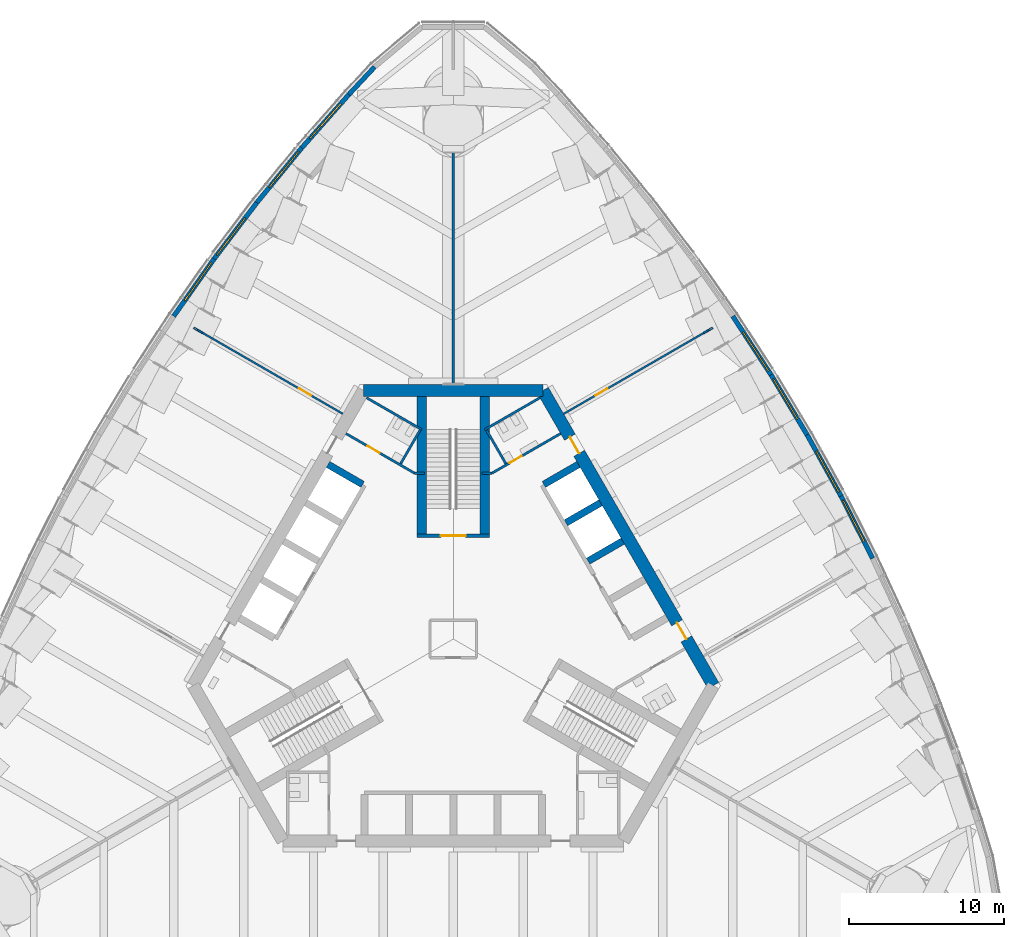
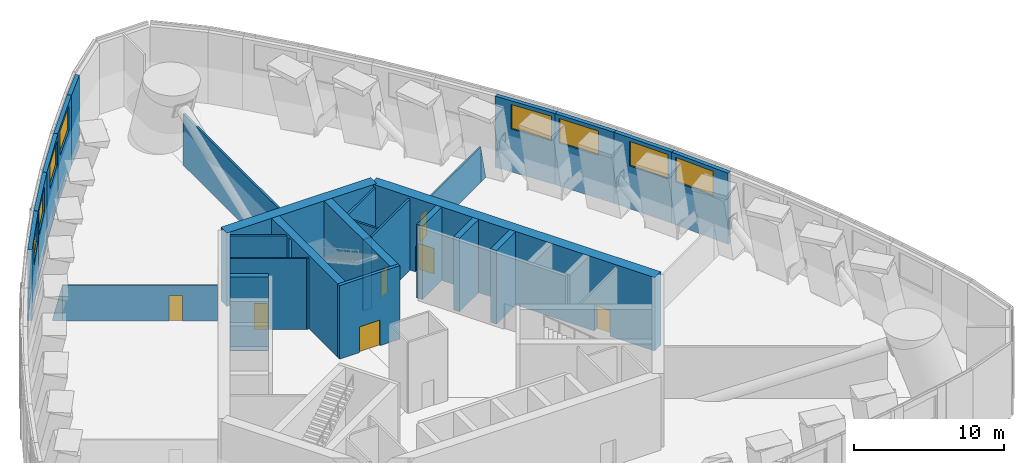
# One storey, part 9 of 25: 31 walls, 8 windows, 7 doors, 15 openings.
"""IFC4 building model written with IfcOpenShell, lengths in metres."""

from ifc_helpers import new_model, si_unit, direction, frame, frame_2d, origin, place, context, subcontext, project, spatial, polyline, rectangle, outline, extrude, material, layer, layer_set, type_object, element, fill, save


model = new_model("IFC4")

# Units and contexts
model_context = context("Model", 3, precision=1e-05, world=origin(), true_north=direction((0.0, 1.0)))
body_context = subcontext(model_context, "Body", "Model", "MODEL_VIEW")
ifc_project = project(units=[si_unit("LENGTHUNIT", "METRE"), si_unit("AREAUNIT", "SQUARE_METRE"), si_unit("VOLUMEUNIT", "CUBIC_METRE"), si_unit("PLANEANGLEUNIT", "RADIAN"), si_unit("MASSUNIT", "GRAM", prefix="KILO")], contexts=[model_context])

# Site, building, storey
site_placement = place(None, origin())
site = spatial("IfcSite", under=ifc_project, at=site_placement, CompositionType="ELEMENT")
building_placement = place(site_placement, origin())
building = spatial("IfcBuilding", under=site, at=building_placement, Name="Trefoil Bronze Tower", CompositionType="ELEMENT")
storey_placement = place(building_placement, frame((0.0, 0.0, 178.699951171875)))
storey = spatial("IfcBuildingStorey", under=building, at=storey_placement, Name="L41", CompositionType="ELEMENT", Elevation=178.699951171875)

# Wall, opening, window
ifc_material_1 = material(Name="Concrete B80", Category="concrete")
ifc_layer_1 = layer(ifc_material_1, 0.300048828125)
ifc_layer_set_1 = layer_set([ifc_layer_1], Name="Belt wall 300")
wall_type_1 = type_object("IfcWallType", Name="Belt wall 300", PredefinedType="SOLIDWALL", material=ifc_layer_set_1)
wall_1_placement = place(storey_placement, frame((26.994873046875, 5.193115234375, 0.0), z_axis=(0.0, 0.0, 1.0), x_axis=(-0.452406735601, 0.891811720927, 0.0)))
wall_1 = element("IfcWall", 1, at=wall_1_placement, inside=storey, type_object=wall_type_1, Name="Belt wall T2.23", PredefinedType="SOLIDWALL", context=body_context, shape_type="SweptSolid", body=[
    extrude(rectangle(XDim=4.506591796875, YDim=0.300048828125, at=frame_2d((2.25341796875, 0.0))), origin(), (0.0, 0.0, 1.0), 5.800048828125),
])
opening_1_placement = place(wall_1_placement, frame((1.20654296875, 0.0, 3.5)))
opening_1 = element("IfcOpeningElement", 2, at=opening_1_placement, cuts=wall_1, Name="Opening LV1", PredefinedType="OPENING", context=body_context, shape_type="SweptSolid", body=[
    extrude(rectangle(XDim=3.0, YDim=2.0, at=frame_2d((1.5, 1.0))), frame((0.0, 0.159912109375, 0.0), z_axis=(0.0, -1.0, 0.0), x_axis=(1.0, 0.0, 0.0)), (0.0, 0.0, 1.0), 0.320068359375),
])
ifc_material_2 = material(Name="Bronze-finish aluminium louvre", Category="aluminium")
window_type = type_object("IfcWindowType", Name="Plant louvre 3000", PartitioningType="SINGLE_PANEL", PredefinedType="USERDEFINED", material=ifc_material_2)
window_1_placement = place(opening_1_placement, origin())
window_1 = element("IfcWindow", 3, at=window_1_placement, inside=storey, type_object=window_type, Name="Plant louvre L41 F2.6.1", ObjectType="LOUVRE", OverallHeight=2.0, OverallWidth=3.0, PartitioningType="SINGLE_PANEL", PredefinedType="USERDEFINED", context=body_context, shape_type="SweptSolid", body=[
    extrude(rectangle(XDim=3.0, YDim=2.0, at=frame_2d((1.5, 1.0))), frame((0.0, 0.030029296875, 0.0), z_axis=(0.0, -1.0, 0.0), x_axis=(1.0, 0.0, 0.0)), (0.0, 0.0, 1.0), 0.06005859375),
])
fill(opening_1, window_1)

wall_2_placement = place(storey_placement, frame((24.9560546875, 9.212158203125, 0.0), z_axis=(0.0, 0.0, 1.0), x_axis=(-0.48433441842, 0.874882947104, 0.0)))
wall_2 = element("IfcWall", 4, at=wall_2_placement, inside=storey, type_object=wall_type_1, Name="Belt wall T2.24", PredefinedType="SOLIDWALL", context=body_context, shape_type="SweptSolid", body=[
    extrude(rectangle(XDim=4.5009765625, YDim=0.300048828125, at=frame_2d((2.25048828125, 0.0))), origin(), (0.0, 0.0, 1.0), 5.800048828125),
])
opening_2_placement = place(wall_2_placement, frame((0.300048828125, 0.0, 3.5)))
opening_2 = element("IfcOpeningElement", 5, at=opening_2_placement, cuts=wall_2, Name="Opening LV1", PredefinedType="OPENING", context=body_context, shape_type="SweptSolid", body=[
    extrude(rectangle(XDim=3.0, YDim=2.0, at=frame_2d((1.5, 1.0))), frame((0.0, 0.159912109375, 0.0), z_axis=(0.0, -1.0, 0.0), x_axis=(1.0, 0.0, 0.0)), (0.0, 0.0, 1.0), 0.320068359375),
])
window_2_placement = place(opening_2_placement, origin())
window_2 = element("IfcWindow", 6, at=window_2_placement, inside=storey, type_object=window_type, Name="Plant louvre L41 F2.7.1", ObjectType="LOUVRE", OverallHeight=2.0, OverallWidth=3.0, PartitioningType="SINGLE_PANEL", PredefinedType="USERDEFINED", context=body_context, shape_type="SweptSolid", body=[
    extrude(rectangle(XDim=3.0, YDim=2.0, at=frame_2d((1.5, 1.0))), frame((0.0, 0.030029296875, 0.0), z_axis=(0.0, -1.0, 0.0), x_axis=(1.0, 0.0, 0.0)), (0.0, 0.0, 1.0), 0.06005859375),
])
fill(opening_2, window_2)

wall_3_placement = place(storey_placement, frame((22.776123046875, 13.14990234375, 0.0), z_axis=(0.0, 0.0, 1.0), x_axis=(-0.515508537432, 0.856884442521, 0.0)))
wall_3 = element("IfcWall", 7, at=wall_3_placement, inside=storey, type_object=wall_type_1, Name="Belt wall T2.25", PredefinedType="SOLIDWALL", context=body_context, shape_type="SweptSolid", body=[
    extrude(rectangle(XDim=4.50048828125, YDim=0.300048828125, at=frame_2d((2.250244140625, 0.0))), origin(), (0.0, 0.0, 1.0), 5.800048828125),
])
opening_3_placement = place(wall_3_placement, frame((1.20068359375, 0.0, 3.5)))
opening_3 = element("IfcOpeningElement", 8, at=opening_3_placement, cuts=wall_3, Name="Opening LV1", PredefinedType="OPENING", context=body_context, shape_type="SweptSolid", body=[
    extrude(rectangle(XDim=3.0, YDim=2.0, at=frame_2d((1.5, 1.0))), frame((0.0, 0.159912109375, 0.0), z_axis=(0.0, -1.0, 0.0), x_axis=(1.0, 0.0, 0.0)), (0.0, 0.0, 1.0), 0.320068359375),
])
window_3_placement = place(opening_3_placement, origin())
window_3 = element("IfcWindow", 9, at=window_3_placement, inside=storey, type_object=window_type, Name="Plant louvre L41 F2.8.1", ObjectType="LOUVRE", OverallHeight=2.0, OverallWidth=3.0, PartitioningType="SINGLE_PANEL", PredefinedType="USERDEFINED", context=body_context, shape_type="SweptSolid", body=[
    extrude(rectangle(XDim=3.0, YDim=2.0, at=frame_2d((1.5, 1.0))), frame((0.0, 0.030029296875, 0.0), z_axis=(0.0, -1.0, 0.0), x_axis=(1.0, 0.0, 0.0)), (0.0, 0.0, 1.0), 0.06005859375),
])
fill(opening_3, window_3)

wall_4_placement = place(storey_placement, frame((20.4560546875, 17.00634765625, 0.0), z_axis=(0.0, 0.0, 1.0), x_axis=(-0.546107481908, 0.83771511757, 0.0)))
wall_4 = element("IfcWall", 10, at=wall_4_placement, inside=storey, type_object=wall_type_1, Name="Belt wall T2.26", PredefinedType="SOLIDWALL", context=body_context, shape_type="SweptSolid", body=[
    extrude(rectangle(XDim=4.5068359375, YDim=0.300048828125, at=frame_2d((2.25341796875, 0.0))), origin(), (0.0, 0.0, 1.0), 5.800048828125),
])
opening_4_placement = place(wall_4_placement, frame((0.300048828125, 0.0, 3.5)))
opening_4 = element("IfcOpeningElement", 11, at=opening_4_placement, cuts=wall_4, Name="Opening LV1", PredefinedType="OPENING", context=body_context, shape_type="SweptSolid", body=[
    extrude(rectangle(XDim=3.0, YDim=2.0, at=frame_2d((1.5, 1.0))), frame((0.0, 0.159912109375, 0.0), z_axis=(0.0, -1.0, 0.0), x_axis=(1.0, 0.0, 0.0)), (0.0, 0.0, 1.0), 0.320068359375),
])
window_4_placement = place(opening_4_placement, origin())
window_4 = element("IfcWindow", 12, at=window_4_placement, inside=storey, type_object=window_type, Name="Plant louvre L41 F2.9.1", ObjectType="LOUVRE", OverallHeight=2.0, OverallWidth=3.0, PartitioningType="SINGLE_PANEL", PredefinedType="USERDEFINED", context=body_context, shape_type="SweptSolid", body=[
    extrude(rectangle(XDim=3.0, YDim=2.0, at=frame_2d((1.5, 1.0))), frame((0.0, 0.030029296875, 0.0), z_axis=(0.0, -1.0, 0.0), x_axis=(1.0, 0.0, 0.0)), (0.0, 0.0, 1.0), 0.06005859375),
])
fill(opening_4, window_4)

# Wall
wall_5_placement = place(storey_placement, frame((-5.066162109375, 36.824462890625, 0.0), z_axis=(0.0, 0.0, 1.0), x_axis=(-0.682533872246, -0.730853961635, 0.0)))
element("IfcWall", 13, at=wall_5_placement, inside=storey, type_object=wall_type_1, Name="Belt wall T2.35", PredefinedType="SOLIDWALL", context=body_context, shape_type="SweptSolid", body=[
    extrude(rectangle(XDim=2.420166015625, YDim=0.300048828125, at=frame_2d((1.2099609375, 0.0))), origin(), (0.0, 0.0, 1.0), 5.800048828125),
])

# Wall, opening, window
wall_6_placement = place(storey_placement, frame((-6.718017578125, 35.0556640625, 0.0), z_axis=(0.0, 0.0, 1.0), x_axis=(-0.66176232182, -0.7497136983, 0.0)))
wall_6 = element("IfcWall", 14, at=wall_6_placement, inside=storey, type_object=wall_type_1, Name="Belt wall T2.36", PredefinedType="SOLIDWALL", context=body_context, shape_type="SweptSolid", body=[
    extrude(rectangle(XDim=4.59130859375, YDim=0.300048828125, at=frame_2d((2.295654296875, 0.0))), origin(), (0.0, 0.0, 1.0), 5.800048828125),
])
opening_5_placement = place(wall_6_placement, frame((0.795654296875, 0.0, 3.5)))
opening_5 = element("IfcOpeningElement", 15, at=opening_5_placement, cuts=wall_6, Name="Opening LV1", PredefinedType="OPENING", context=body_context, shape_type="SweptSolid", body=[
    extrude(rectangle(XDim=3.0, YDim=2.0, at=frame_2d((1.5, 1.0))), frame((0.0, 0.159912109375, 0.0), z_axis=(0.0, -1.0, 0.0), x_axis=(1.0, 0.0, 0.0)), (0.0, 0.0, 1.0), 0.320068359375),
])
window_5_placement = place(opening_5_placement, origin())
window_5 = element("IfcWindow", 16, at=window_5_placement, inside=storey, type_object=window_type, Name="Plant louvre L41 F3.2.1", ObjectType="LOUVRE", OverallHeight=2.0, OverallWidth=3.0, PartitioningType="SINGLE_PANEL", PredefinedType="USERDEFINED", context=body_context, shape_type="SweptSolid", body=[
    extrude(rectangle(XDim=3.0, YDim=2.0, at=frame_2d((1.5, 1.0))), frame((0.0, 0.030029296875, 0.0), z_axis=(0.0, -1.0, 0.0), x_axis=(1.0, 0.0, 0.0)), (0.0, 0.0, 1.0), 0.06005859375),
])
fill(opening_5, window_5)

wall_7_placement = place(storey_placement, frame((-9.75634765625, 31.613525390625, 0.0), z_axis=(0.0, 0.0, 1.0), x_axis=(-0.633811934582, -0.773487189022, 0.0)))
wall_7 = element("IfcWall", 17, at=wall_7_placement, inside=storey, type_object=wall_type_1, Name="Belt wall T2.37", PredefinedType="SOLIDWALL", context=body_context, shape_type="SweptSolid", body=[
    extrude(rectangle(XDim=4.560302734375, YDim=0.300048828125, at=frame_2d((2.2802734375, 0.0))), origin(), (0.0, 0.0, 1.0), 5.800048828125),
])
opening_6_placement = place(wall_7_placement, frame((0.300048828125, 0.0, 3.5)))
opening_6 = element("IfcOpeningElement", 18, at=opening_6_placement, cuts=wall_7, Name="Opening LV1", PredefinedType="OPENING", context=body_context, shape_type="SweptSolid", body=[
    extrude(rectangle(XDim=3.0, YDim=2.0, at=frame_2d((1.5, 1.0))), frame((0.0, 0.159912109375, 0.0), z_axis=(0.0, -1.0, 0.0), x_axis=(1.0, 0.0, 0.0)), (0.0, 0.0, 1.0), 0.320068359375),
])
window_6_placement = place(opening_6_placement, origin())
window_6 = element("IfcWindow", 19, at=window_6_placement, inside=storey, type_object=window_type, Name="Plant louvre L41 F3.3.1", ObjectType="LOUVRE", OverallHeight=2.0, OverallWidth=3.0, PartitioningType="SINGLE_PANEL", PredefinedType="USERDEFINED", context=body_context, shape_type="SweptSolid", body=[
    extrude(rectangle(XDim=3.0, YDim=2.0, at=frame_2d((1.5, 1.0))), frame((0.0, 0.030029296875, 0.0), z_axis=(0.0, -1.0, 0.0), x_axis=(1.0, 0.0, 0.0)), (0.0, 0.0, 1.0), 0.06005859375),
])
fill(opening_6, window_6)

wall_8_placement = place(storey_placement, frame((-12.646728515625, 28.086181640625, 0.0), z_axis=(0.0, 0.0, 1.0), x_axis=(-0.605274299339, -0.796016973789, 0.0)))
wall_8 = element("IfcWall", 20, at=wall_8_placement, inside=storey, type_object=wall_type_1, Name="Belt wall T2.38", PredefinedType="SOLIDWALL", context=body_context, shape_type="SweptSolid", body=[
    extrude(rectangle(XDim=4.5361328125, YDim=0.300048828125, at=frame_2d((2.26806640625, 0.0))), origin(), (0.0, 0.0, 1.0), 5.800048828125),
])
opening_7_placement = place(wall_8_placement, frame((1.236328125, 0.0, 3.5)))
opening_7 = element("IfcOpeningElement", 21, at=opening_7_placement, cuts=wall_8, Name="Opening LV1", PredefinedType="OPENING", context=body_context, shape_type="SweptSolid", body=[
    extrude(rectangle(XDim=3.0, YDim=2.0, at=frame_2d((1.5, 1.0))), frame((0.0, 0.159912109375, 0.0), z_axis=(0.0, -1.0, 0.0), x_axis=(1.0, 0.0, 0.0)), (0.0, 0.0, 1.0), 0.320068359375),
])
window_7_placement = place(opening_7_placement, origin())
window_7 = element("IfcWindow", 22, at=window_7_placement, inside=storey, type_object=window_type, Name="Plant louvre L41 F3.4.1", ObjectType="LOUVRE", OverallHeight=2.0, OverallWidth=3.0, PartitioningType="SINGLE_PANEL", PredefinedType="USERDEFINED", context=body_context, shape_type="SweptSolid", body=[
    extrude(rectangle(XDim=3.0, YDim=2.0, at=frame_2d((1.5, 1.0))), frame((0.0, 0.030029296875, 0.0), z_axis=(0.0, -1.0, 0.0), x_axis=(1.0, 0.0, 0.0)), (0.0, 0.0, 1.0), 0.06005859375),
])
fill(opening_7, window_7)

wall_9_placement = place(storey_placement, frame((-15.392333984375, 24.475341796875, 0.0), z_axis=(0.0, 0.0, 1.0), x_axis=(-0.575987178736, -0.817458726745, 0.0)))
wall_9 = element("IfcWall", 23, at=wall_9_placement, inside=storey, type_object=wall_type_1, Name="Belt wall T2.39", PredefinedType="SOLIDWALL", context=body_context, shape_type="SweptSolid", body=[
    extrude(rectangle(XDim=4.518310546875, YDim=0.300048828125, at=frame_2d((2.25927734375, 0.0))), origin(), (0.0, 0.0, 1.0), 5.800048828125),
])
opening_8_placement = place(wall_9_placement, frame((0.300048828125, 0.0, 3.5)))
opening_8 = element("IfcOpeningElement", 24, at=opening_8_placement, cuts=wall_9, Name="Opening LV1", PredefinedType="OPENING", context=body_context, shape_type="SweptSolid", body=[
    extrude(rectangle(XDim=3.0, YDim=2.0, at=frame_2d((1.5, 1.0))), frame((0.0, 0.159912109375, 0.0), z_axis=(0.0, -1.0, 0.0), x_axis=(1.0, 0.0, 0.0)), (0.0, 0.0, 1.0), 0.320068359375),
])
window_8_placement = place(opening_8_placement, origin())
window_8 = element("IfcWindow", 25, at=window_8_placement, inside=storey, type_object=window_type, Name="Plant louvre L41 F3.5.1", ObjectType="LOUVRE", OverallHeight=2.0, OverallWidth=3.0, PartitioningType="SINGLE_PANEL", PredefinedType="USERDEFINED", context=body_context, shape_type="SweptSolid", body=[
    extrude(rectangle(XDim=3.0, YDim=2.0, at=frame_2d((1.5, 1.0))), frame((0.0, 0.030029296875, 0.0), z_axis=(0.0, -1.0, 0.0), x_axis=(1.0, 0.0, 0.0)), (0.0, 0.0, 1.0), 0.06005859375),
])
fill(opening_8, window_8)

# Wall, openings, doors
ifc_material_3 = material(Name="Concrete B80", Category="concrete")
ifc_layer_2 = layer(ifc_material_3, 0.800048828125)
ifc_layer_set_2 = layer_set([ifc_layer_2], Name="Core wall 800")
wall_type_2 = type_object("IfcWallType", Name="Core wall 800", PredefinedType="SHEAR", material=ifc_layer_set_2)
wall_10_placement = place(storey_placement, frame((16.7431640625, -3.0, 0.0), z_axis=(0.0, 0.0, 1.0), x_axis=(-0.500002442456, 0.866023993627, 0.0)))
wall_10 = element("IfcWall", 26, at=wall_10_placement, inside=storey, type_object=wall_type_2, Name="Core long wall 2 L41", PredefinedType="SHEAR", context=body_context, shape_type="SweptSolid", body=[
    extrude(rectangle(XDim=21.939453125, YDim=0.800048828125, at=frame_2d((10.9697265625, 0.0))), origin(), (0.0, 0.0, 1.0), 6.0),
])
opening_9_placement = place(wall_10_placement, frame((17.269775390625, 0.0, 0.0)))
opening_9 = element("IfcOpeningElement", 27, at=opening_9_placement, cuts=wall_10, Name="Opening D2", PredefinedType="OPENING", context=body_context, shape_type="SweptSolid", body=[
    extrude(rectangle(XDim=1.199951171875, YDim=2.10009765625, at=frame_2d((0.60009765625, 1.050048828125))), frame((0.0, 0.409912109375, 0.0), z_axis=(0.0, -1.0, 0.0), x_axis=(1.0, 0.0, 0.0)), (0.0, 0.0, 1.0), 0.820068359375),
])
opening_10_placement = place(wall_10_placement, frame((3.4697265625, 0.0, 0.0)))
opening_10 = element("IfcOpeningElement", 28, at=opening_10_placement, cuts=wall_10, Name="Opening D2", PredefinedType="OPENING", context=body_context, shape_type="SweptSolid", body=[
    extrude(rectangle(XDim=1.199951171875, YDim=2.10009765625, at=frame_2d((0.60009765625, 1.050048828125))), frame((0.0, 0.409912109375, 0.0), z_axis=(0.0, -1.0, 0.0), x_axis=(1.0, 0.0, 0.0)), (0.0, 0.0, 1.0), 0.820068359375),
])
ifc_material_4 = material(Name="Steel door", Category="steel")
door_type_1 = type_object("IfcDoorType", Name="Lobby door 1200", OperationType="SINGLE_SWING_RIGHT", PredefinedType="DOOR", material=ifc_material_4)
door_1_placement = place(opening_9_placement, origin())
door_1 = element("IfcDoor", 29, at=door_1_placement, inside=storey, type_object=door_type_1, Name="Lobby door F2+ L41", OperationType="SINGLE_SWING_RIGHT", OverallHeight=2.10009765625, OverallWidth=1.199951171875, PredefinedType="DOOR", context=body_context, shape_type="SweptSolid", body=[
    extrude(rectangle(XDim=1.199951171875, YDim=2.10009765625, at=frame_2d((0.60009765625, 1.050048828125))), frame((0.0, 0.02490234375, 0.0), z_axis=(0.0, -1.0, 0.0), x_axis=(1.0, 0.0, 0.0)), (0.0, 0.0, 1.0), 0.050048828125),
])
fill(opening_9, door_1)
door_2_placement = place(opening_10_placement, origin())
door_2 = element("IfcDoor", 30, at=door_2_placement, inside=storey, type_object=door_type_1, Name="Lobby door F2- L41", OperationType="SINGLE_SWING_LEFT", OverallHeight=2.10009765625, OverallWidth=1.199951171875, PredefinedType="DOOR", context=body_context, shape_type="SweptSolid", body=[
    extrude(rectangle(XDim=1.199951171875, YDim=2.10009765625, at=frame_2d((0.60009765625, 1.050048828125))), frame((0.0, 0.02490234375, 0.0), z_axis=(0.0, -1.0, 0.0), x_axis=(1.0, 0.0, 0.0)), (0.0, 0.0, 1.0), 0.050048828125),
])
fill(opening_10, door_2)

# Walls
wall_11_placement = place(storey_placement, frame((5.7734375, 16.0, 0.0), z_axis=(0.0, 0.0, 1.0), x_axis=(-1.0, 0.0, 0.0)))
element("IfcWall", 31, at=wall_11_placement, inside=storey, type_object=wall_type_2, Name="Core short wall 2 L41", PredefinedType="SHEAR", context=body_context, shape_type="SweptSolid", body=[
    extrude(rectangle(XDim=11.546875, YDim=0.800048828125, at=frame_2d((5.7734375, 0.0))), origin(), (0.0, 0.0, 1.0), 6.0),
])
ifc_material_5 = material(Name="Glazed partition", Category="glass")
ifc_layer_3 = layer(ifc_material_5, 0.1201171875)
ifc_layer_set_3 = layer_set([ifc_layer_3], Name="Glazed partition 120")
wall_type_3 = type_object("IfcWallType", Name="Glazed partition 120", PredefinedType="PARTITIONING", material=ifc_layer_set_3)
wall_12_placement = place(storey_placement, frame((16.122314453125, 19.700439453125, 0.0), z_axis=(0.0, 0.0, 1.0), x_axis=(0.866002566612, 0.500039553057, 0.0)))
element("IfcWall", 32, at=wall_12_placement, inside=storey, type_object=wall_type_3, Name="Partition F2 L41", PredefinedType="PARTITIONING", context=body_context, shape_type="SweptSolid", body=[
    extrude(outline(polyline([(0.0, 0.0), (0.66650390625, 0.0), (0.66650390625, 0.050048828125), (0.0, 2.900146484375), (0.0, 0.0)])), frame((0.0, 0.06005859375, 0.0), z_axis=(0.0, -1.0, 0.0), x_axis=(1.0, 0.0, 0.0)), (0.0, 0.0, 1.0), 0.1201171875),
])

# Wall, opening, door
wall_13_placement = place(storey_placement, frame((7.1220703125, 14.504150390625, 0.0), z_axis=(0.0, 0.0, 1.0), x_axis=(0.866025583565, 0.49999968861, 0.0)))
wall_13 = element("IfcWall", 33, at=wall_13_placement, inside=storey, type_object=wall_type_3, Name="Partition F2 L41", PredefinedType="PARTITIONING", context=body_context, shape_type="SweptSolid", body=[
    extrude(rectangle(XDim=10.392578125, YDim=0.1201171875, at=frame_2d((5.1962890625, 0.0))), origin(), (0.0, 0.0, 1.0), 2.900146484375),
])
opening_11_placement = place(wall_13_placement, frame((2.35009765625, 0.0, 0.0)))
opening_11 = element("IfcOpeningElement", 34, at=opening_11_placement, cuts=wall_13, Name="Opening D8", PredefinedType="OPENING", context=body_context, shape_type="SweptSolid", body=[
    extrude(rectangle(XDim=0.89990234375, YDim=2.10009765625, at=frame_2d((0.449951171875, 1.050048828125))), frame((0.0, 0.070068359375, 0.0), z_axis=(0.0, -1.0, 0.0), x_axis=(1.0, 0.0, 0.0)), (0.0, 0.0, 1.0), 0.14013671875),
])
ifc_material_6 = material(Name="Timber door", Category="wood")
door_type_2 = type_object("IfcDoorType", Name="Office door 900", OperationType="SINGLE_SWING_LEFT", PredefinedType="DOOR", material=ifc_material_6)
door_3_placement = place(opening_11_placement, frame((0.89990234375, 0.0, 0.0), z_axis=(0.0, 0.0, 1.0), x_axis=(-1.0, 0.0, 0.0)))
door_3 = element("IfcDoor", 35, at=door_3_placement, inside=storey, type_object=door_type_2, Name="Pump plant room door F2 L41", OperationType="SINGLE_SWING_RIGHT", OverallHeight=2.10009765625, OverallWidth=0.89990234375, PredefinedType="DOOR", context=body_context, shape_type="SweptSolid", body=[
    extrude(rectangle(XDim=0.89990234375, YDim=2.10009765625, at=frame_2d((0.449951171875, 1.050048828125))), frame((0.0, 0.02490234375, 0.0), z_axis=(0.0, -1.0, 0.0), x_axis=(1.0, 0.0, 0.0)), (0.0, 0.0, 1.0), 0.050048828125),
])
fill(opening_11, door_3)

# Wall
wall_14_placement = place(storey_placement, frame((-16.122314453125, 19.700439453125, 0.0), z_axis=(0.0, 0.0, 1.0), x_axis=(-0.866002566612, 0.500039553057, 0.0)))
element("IfcWall", 36, at=wall_14_placement, inside=storey, type_object=wall_type_3, Name="Partition F3 L41", PredefinedType="PARTITIONING", context=body_context, shape_type="SweptSolid", body=[
    extrude(outline(polyline([(0.0, 0.0), (0.66650390625, 0.0), (0.66650390625, 0.050048828125), (0.0, 2.900146484375), (0.0, 0.0)])), frame((0.0, 0.06005859375, 0.0), z_axis=(0.0, -1.0, 0.0), x_axis=(1.0, 0.0, 0.0)), (0.0, 0.0, 1.0), 0.1201171875),
])

# Wall, opening, door
wall_15_placement = place(storey_placement, frame((-7.1220703125, 14.504150390625, 0.0), z_axis=(0.0, 0.0, 1.0), x_axis=(-0.866025583565, 0.49999968861, 0.0)))
wall_15 = element("IfcWall", 37, at=wall_15_placement, inside=storey, type_object=wall_type_3, Name="Partition F3 L41", PredefinedType="PARTITIONING", context=body_context, shape_type="SweptSolid", body=[
    extrude(rectangle(XDim=10.392578125, YDim=0.1201171875, at=frame_2d((5.1962890625, 0.0))), origin(), (0.0, 0.0, 1.0), 2.900146484375),
])
opening_12_placement = place(wall_15_placement, frame((2.35009765625, 0.0, 0.0)))
opening_12 = element("IfcOpeningElement", 38, at=opening_12_placement, cuts=wall_15, Name="Opening D8", PredefinedType="OPENING", context=body_context, shape_type="SweptSolid", body=[
    extrude(rectangle(XDim=0.89990234375, YDim=2.10009765625, at=frame_2d((0.449951171875, 1.050048828125))), frame((0.0, 0.070068359375, 0.0), z_axis=(0.0, -1.0, 0.0), x_axis=(1.0, 0.0, 0.0)), (0.0, 0.0, 1.0), 0.14013671875),
])
door_4_placement = place(opening_12_placement, origin())
door_4 = element("IfcDoor", 39, at=door_4_placement, inside=storey, type_object=door_type_2, Name="Transformer plant room door F3 L41", OperationType="SINGLE_SWING_LEFT", OverallHeight=2.10009765625, OverallWidth=0.89990234375, PredefinedType="DOOR", context=body_context, shape_type="SweptSolid", body=[
    extrude(rectangle(XDim=0.89990234375, YDim=2.10009765625, at=frame_2d((0.449951171875, 1.050048828125))), frame((0.0, 0.02490234375, 0.0), z_axis=(0.0, -1.0, 0.0), x_axis=(1.0, 0.0, 0.0)), (0.0, 0.0, 1.0), 0.050048828125),
])
fill(opening_12, door_4)

# Walls
ifc_material_7 = material(Name="Concrete B80", Category="concrete")
ifc_layer_4 = layer(ifc_material_7, 0.449951171875)
ifc_layer_set_4 = layer_set([ifc_layer_4], Name="Outrigger shaft wall 450")
wall_type_4 = type_object("IfcWallType", Name="Outrigger shaft wall 450", PredefinedType="SHEAR", material=ifc_layer_set_4)
for number, where, z_axis, x_axis, name in (
    (40, (8.681884765625, 5.012451171875, 0.0), (0.0, 0.0, 1.0), (0.866005588531, 0.500034319456, 0.0), "Lift shaft side wall B2 L41"),
    (41, (7.2568359375, 7.480712890625, 0.0), (0.0, 0.0, 1.0), (0.866046643894, 0.499963209246, 0.0), "Lift shaft side wall B3 L41"),
):
    element("IfcWall", number, at=place(storey_placement, frame(where, z_axis=z_axis, x_axis=x_axis)), inside=storey, type_object=wall_type_4, Name=name, PredefinedType="SHEAR", context=body_context, shape_type="SweptSolid", body=[
        extrude(rectangle(XDim=2.574951171875, YDim=0.449951171875, at=frame_2d((1.28759765625, 0.0))), origin(), (0.0, 0.0, 1.0), 6.0),
    ])
for number, where, z_axis, x_axis, name in (
    (42, (5.831787109375, 9.94873046875, 0.0), (0.0, 0.0, 1.0), (0.866029291668, 0.499993265928, 0.0), "Lift shaft side wall B4 L41"),
    (43, (-5.831787109375, 9.94873046875, 0.0), (0.0, 0.0, 1.0), (-0.866029291668, 0.499993265928, 0.0), "Lift shaft side wall C0 L41"),
):
    element("IfcWall", number, at=place(storey_placement, frame(where, z_axis=z_axis, x_axis=x_axis)), inside=storey, type_object=wall_type_4, Name=name, PredefinedType="SHEAR", context=body_context, shape_type="SweptSolid", body=[
        extrude(rectangle(XDim=2.5751953125, YDim=0.449951171875, at=frame_2d((1.28759765625, 0.0))), origin(), (0.0, 0.0, 1.0), 6.0),
    ])

# Wall, opening, door
ifc_material_8 = material(Name="Gypsum board on steel studs", Category="steel")
ifc_layer_5 = layer(ifc_material_8, 0.14990234375)
ifc_layer_set_5 = layer_set([ifc_layer_5], Name="Partition 150")
wall_type_5 = type_object("IfcWallType", Name="Partition 150", PredefinedType="PARTITIONING", material=ifc_layer_set_5)
wall_16_placement = place(storey_placement, frame((2.4951171875, 10.67822265625, 0.0), z_axis=(0.0, 0.0, 1.0), x_axis=(0.86602216432, 0.500005610874, 0.0)))
wall_16 = element("IfcWall", 44, at=wall_16_placement, inside=storey, type_object=wall_type_5, Name="Passage wall F2+ L41", PredefinedType="PARTITIONING", context=body_context, shape_type="SweptSolid", body=[
    extrude(rectangle(XDim=5.10009765625, YDim=0.14990234375, at=frame_2d((2.550048828125, 0.0))), origin(), (0.0, 0.0, 1.0), 5.800048828125),
])
opening_13_placement = place(wall_16_placement, frame((1.300048828125, 0.0, 0.0)))
opening_13 = element("IfcOpeningElement", 45, at=opening_13_placement, cuts=wall_16, Name="Opening D3", PredefinedType="OPENING", context=body_context, shape_type="SweptSolid", body=[
    extrude(rectangle(XDim=0.89990234375, YDim=2.10009765625, at=frame_2d((0.449951171875, 1.050048828125))), frame((0.0, 0.0849609375, 0.0), z_axis=(0.0, -1.0, 0.0), x_axis=(1.0, 0.0, 0.0)), (0.0, 0.0, 1.0), 0.169921875),
])
ifc_material_9 = material(Name="Timber door", Category="wood")
door_type_3 = type_object("IfcDoorType", Name="WC door 900", OperationType="SINGLE_SWING_LEFT", PredefinedType="DOOR", material=ifc_material_9)
door_5_placement = place(opening_13_placement, origin())
door_5 = element("IfcDoor", 46, at=door_5_placement, inside=storey, type_object=door_type_3, Name="WC (men) door L41", OperationType="SINGLE_SWING_LEFT", OverallHeight=2.10009765625, OverallWidth=0.89990234375, PredefinedType="DOOR", context=body_context, shape_type="SweptSolid", body=[
    extrude(rectangle(XDim=0.89990234375, YDim=2.10009765625, at=frame_2d((0.449951171875, 1.050048828125))), frame((0.0, 0.02490234375, 0.0), z_axis=(0.0, -1.0, 0.0), x_axis=(1.0, 0.0, 0.0)), (0.0, 0.0, 1.0), 0.050048828125),
])
fill(opening_13, door_5)

wall_17_placement = place(storey_placement, frame((-2.4951171875, 10.67822265625, 0.0), z_axis=(0.0, 0.0, 1.0), x_axis=(-0.86602216432, 0.500005610874, 0.0)))
wall_17 = element("IfcWall", 47, at=wall_17_placement, inside=storey, type_object=wall_type_5, Name="Passage wall F3- L41", PredefinedType="PARTITIONING", context=body_context, shape_type="SweptSolid", body=[
    extrude(rectangle(XDim=5.10009765625, YDim=0.14990234375, at=frame_2d((2.550048828125, 0.0))), origin(), (0.0, 0.0, 1.0), 5.800048828125),
])
opening_14_placement = place(wall_17_placement, frame((2.60009765625, 0.0, 0.0)))
opening_14 = element("IfcOpeningElement", 48, at=opening_14_placement, cuts=wall_17, Name="Opening D3", PredefinedType="OPENING", context=body_context, shape_type="SweptSolid", body=[
    extrude(rectangle(XDim=0.89990234375, YDim=2.10009765625, at=frame_2d((0.449951171875, 1.050048828125))), frame((0.0, 0.0849609375, 0.0), z_axis=(0.0, -1.0, 0.0), x_axis=(1.0, 0.0, 0.0)), (0.0, 0.0, 1.0), 0.169921875),
])
door_6_placement = place(opening_14_placement, frame((0.89990234375, 0.0, 0.0), z_axis=(0.0, 0.0, 1.0), x_axis=(-1.0, 0.0, 0.0)))
door_6 = element("IfcDoor", 49, at=door_6_placement, inside=storey, type_object=door_type_3, Name="WC (women) door L41", OperationType="SINGLE_SWING_RIGHT", OverallHeight=2.10009765625, OverallWidth=0.89990234375, PredefinedType="DOOR", context=body_context, shape_type="SweptSolid", body=[
    extrude(rectangle(XDim=0.89990234375, YDim=2.10009765625, at=frame_2d((0.449951171875, 1.050048828125))), frame((0.0, 0.02490234375, 0.0), z_axis=(0.0, -1.0, 0.0), x_axis=(1.0, 0.0, 0.0)), (0.0, 0.0, 1.0), 0.050048828125),
])
fill(opening_14, door_6)

# Walls
for number, where, z_axis, x_axis, name in (
    (50, (2.4951171875, 10.67822265625, 0.0), (0.0, 0.0, 1.0), (-1.0, 0.0, 0.0), "WC wall ST2-1 L41"),
    (51, (-2.4951171875, 10.67822265625, 0.0), (0.0, 0.0, 1.0), (1.0, 0.0, 0.0), "WC wall ST2+1 L41"),
):
    element("IfcWall", number, at=place(storey_placement, frame(where, z_axis=z_axis, x_axis=x_axis)), inside=storey, type_object=wall_type_5, Name=name, PredefinedType="PARTITIONING", context=body_context, shape_type="SweptSolid", body=[
        extrude(rectangle(XDim=0.64501953125, YDim=0.14990234375, at=frame_2d((0.322509765625, 0.0))), origin(), (0.0, 0.0, 1.0), 5.800048828125),
    ])
wall_18_placement = place(storey_placement, frame((2.03125, 13.48193359375, 0.0), z_axis=(0.0, 0.0, 1.0), x_axis=(0.866050731258, 0.499956128963, 0.0)))
element("IfcWall", 52, at=wall_18_placement, inside=storey, type_object=wall_type_5, Name="WC partition WC (men) L41", PredefinedType="PARTITIONING", context=body_context, shape_type="SweptSolid", body=[
    extrude(rectangle(XDim=4.099853515625, YDim=0.14990234375, at=frame_2d((2.0498046875, 0.0))), origin(), (0.0, 0.0, 1.0), 5.800048828125),
])
wall_19_placement = place(storey_placement, frame((3.388671875, 11.28076171875, 0.0), z_axis=(0.0, 0.0, 1.0), x_axis=(-0.499989096993, 0.866031698547, 0.0)))
element("IfcWall", 53, at=wall_19_placement, inside=storey, type_object=wall_type_5, Name="WC partition WC (men) L41", PredefinedType="PARTITIONING", context=body_context, shape_type="SweptSolid", body=[
    extrude(rectangle(XDim=2.509765625, YDim=0.14990234375, at=frame_2d((1.2548828125, 0.0))), origin(), (0.0, 0.0, 1.0), 5.800048828125),
])
wall_20_placement = place(storey_placement, frame((-2.03125, 13.48193359375, 0.0), z_axis=(0.0, 0.0, 1.0), x_axis=(-0.866050731258, 0.499956128963, 0.0)))
element("IfcWall", 54, at=wall_20_placement, inside=storey, type_object=wall_type_5, Name="WC partition WC (women) L41", PredefinedType="PARTITIONING", context=body_context, shape_type="SweptSolid", body=[
    extrude(rectangle(XDim=4.099853515625, YDim=0.14990234375, at=frame_2d((2.0498046875, 0.0))), origin(), (0.0, 0.0, 1.0), 5.800048828125),
])
wall_21_placement = place(storey_placement, frame((-3.388671875, 11.28076171875, 0.0), z_axis=(0.0, 0.0, 1.0), x_axis=(0.499989096993, 0.866031698547, 0.0)))
element("IfcWall", 55, at=wall_21_placement, inside=storey, type_object=wall_type_5, Name="WC partition WC (women) L41", PredefinedType="PARTITIONING", context=body_context, shape_type="SweptSolid", body=[
    extrude(rectangle(XDim=2.509765625, YDim=0.14990234375, at=frame_2d((1.2548828125, 0.0))), origin(), (0.0, 0.0, 1.0), 5.800048828125),
])
ifc_material_10 = material(Name="Gypsum board on steel studs", Category="steel")
ifc_layer_6 = layer(ifc_material_10, 0.14990234375)
ifc_layer_set_6 = layer_set([ifc_layer_6], Name="Party wall 150")
wall_type_6 = type_object("IfcWallType", Name="Party wall 150", PredefinedType="PARTITIONING", material=ifc_layer_set_6)
wall_22_placement = place(storey_placement, frame((0.0, 16.39990234375, 0.0), z_axis=(0.0, 0.0, 1.0), x_axis=(0.0, 1.0, 0.0)))
element("IfcWall", 56, at=wall_22_placement, inside=storey, type_object=wall_type_6, Name="Party wall K2 L41", PredefinedType="PARTITIONING", context=body_context, shape_type="SweptSolid", body=[
    extrude(rectangle(XDim=14.9501953125, YDim=0.14990234375, at=frame_2d((7.47509765625, 0.0))), origin(), (0.0, 0.0, 1.0), 4.199951171875),
])

# Wall, opening, door
ifc_material_11 = material(Name="Concrete B80", Category="concrete")
ifc_layer_7 = layer(ifc_material_11, 0.25)
ifc_layer_set_7 = layer_set([ifc_layer_7], Name="Shaft wall 250")
wall_type_7 = type_object("IfcWallType", Name="Shaft wall 250", PredefinedType="SHEAR", material=ifc_layer_set_7)
wall_23_placement = place(storey_placement, frame((2.324951171875, 6.64990234375, 0.0), z_axis=(0.0, 0.0, 1.0), x_axis=(-1.0, 0.0, 0.0)))
wall_23 = element("IfcWall", 57, at=wall_23_placement, inside=storey, type_object=wall_type_7, Name="Stair end wall ST2 L41", PredefinedType="SHEAR", context=body_context, shape_type="SweptSolid", body=[
    extrude(rectangle(XDim=4.64990234375, YDim=0.25, at=frame_2d((2.324951171875, 0.0))), origin(), (0.0, 0.0, 1.0), 6.0),
])
opening_15_placement = place(wall_23_placement, frame((1.52490234375, 0.0, 0.0)))
opening_15 = element("IfcOpeningElement", 58, at=opening_15_placement, cuts=wall_23, Name="Opening D1", PredefinedType="OPENING", context=body_context, shape_type="SweptSolid", body=[
    extrude(rectangle(XDim=1.60009765625, YDim=2.10009765625, at=frame_2d((0.800048828125, 1.050048828125))), frame((0.0, 0.135009765625, 0.0), z_axis=(0.0, -1.0, 0.0), x_axis=(1.0, 0.0, 0.0)), (0.0, 0.0, 1.0), 0.27001953125),
])
ifc_material_12 = material(Name="Steel door", Category="steel")
door_type_4 = type_object("IfcDoorType", Name="Stair door 1600", OperationType="DOUBLE_DOOR_SINGLE_SWING", PredefinedType="DOOR", material=ifc_material_12)
door_7_placement = place(opening_15_placement, frame((1.60009765625, 0.0, 0.0), z_axis=(0.0, 0.0, 1.0), x_axis=(-1.0, 0.0, 0.0)))
door_7 = element("IfcDoor", 59, at=door_7_placement, inside=storey, type_object=door_type_4, Name="Stair door ST2 L41", OperationType="DOUBLE_DOOR_SINGLE_SWING", OverallHeight=2.10009765625, OverallWidth=1.60009765625, PredefinedType="DOOR", context=body_context, shape_type="SweptSolid", body=[
    extrude(rectangle(XDim=1.60009765625, YDim=2.10009765625, at=frame_2d((0.800048828125, 1.050048828125))), frame((0.0, 0.02490234375, 0.0), z_axis=(0.0, -1.0, 0.0), x_axis=(1.0, 0.0, 0.0)), (0.0, 0.0, 1.0), 0.050048828125),
])
fill(opening_15, door_7)

# Walls
ifc_material_13 = material(Name="Concrete B80", Category="concrete")
ifc_layer_8 = layer(ifc_material_13, 0.60009765625)
ifc_layer_set_8 = layer_set([ifc_layer_8], Name="Stair wall 600")
wall_type_8 = type_object("IfcWallType", Name="Stair wall 600", PredefinedType="SHEAR", material=ifc_layer_set_8)
for number, where, z_axis, x_axis, name in (
    (60, (2.02490234375, 6.52490234375, 0.0), (0.0, 0.0, 1.0), (0.0, 1.0, 0.0), "Stair wall ST2 L41"),
    (61, (-2.02490234375, 6.52490234375, 0.0), (0.0, 0.0, 1.0), (0.0, 1.0, 0.0), "Stair wall ST2 L41"),
):
    element("IfcWall", number, at=place(storey_placement, frame(where, z_axis=z_axis, x_axis=x_axis)), inside=storey, type_object=wall_type_8, Name=name, PredefinedType="SHEAR", context=body_context, shape_type="SweptSolid", body=[
        extrude(rectangle(XDim=9.0751953125, YDim=0.60009765625, at=frame_2d((4.53759765625, 0.0))), origin(), (0.0, 0.0, 1.0), 6.0),
    ])

save(model, "model.ifc")
